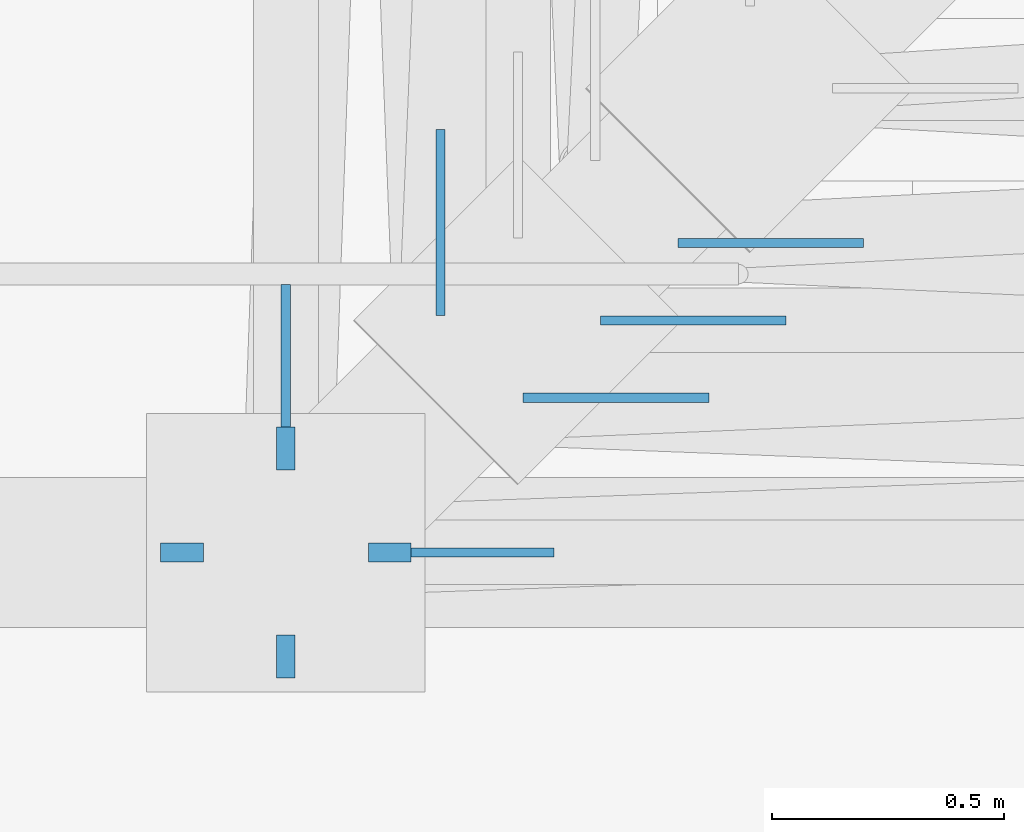
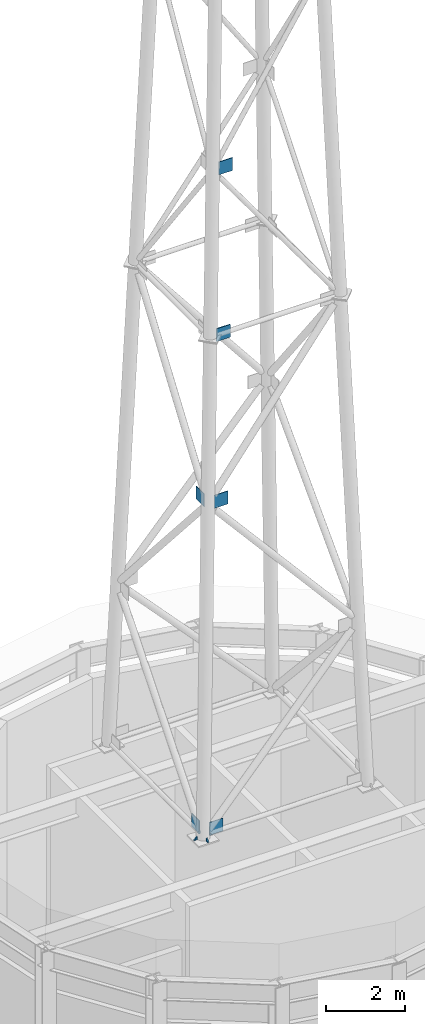
# One storey, part 5 of 15: 10 discrete accessories.
"""IFC4 building model written with IfcOpenShell, lengths in metres."""

from ifc_helpers import new_model, si_unit, direction, frame, origin, origin_2d, place, context, subcontext, project, spatial, polyline, rectangle, outline, extrude, material, material_profile, profile_set, type_object, element, save


model = new_model("IFC4")

# Units and contexts
model_context = context("Model", 3, precision=1e-05, world=origin(), true_north=direction((0.0, 1.0)))
body_context = subcontext(model_context, "Body", "Model", "MODEL_VIEW")
ifc_project = project(units=[si_unit("LENGTHUNIT", "METRE"), si_unit("AREAUNIT", "SQUARE_METRE"), si_unit("VOLUMEUNIT", "CUBIC_METRE"), si_unit("PLANEANGLEUNIT", "RADIAN"), si_unit("MASSUNIT", "GRAM", prefix="KILO")], contexts=[model_context])

# Site, building, storey
site_placement = place(None, origin())
site = spatial("IfcSite", under=ifc_project, at=site_placement, CompositionType="ELEMENT")
building_placement = place(site_placement, origin())
building = spatial("IfcBuilding", under=site, at=building_placement, Name="Immortelle Media Tower", CompositionType="ELEMENT")
storey_placement = place(building_placement, frame((0.0, 0.0, 308.0)))
storey = spatial("IfcBuildingStorey", under=building, at=storey_placement, Name="Roof", CompositionType="ELEMENT", Elevation=308.0)

# Discrete accessories
ifc_material = material(Name="Steel ASTM A572 Gr 50", Category="steel")
ifc_material_profile_1 = material_profile(ifc_material, rectangle(XDim=0.02001953125, YDim=0.39990234375, at=origin_2d()), Name="PL 20 x 400")
ifc_profile_set_1 = profile_set([ifc_material_profile_1], Name="Steel ASTM A572 Gr 50")
discrete_accessory_type_1 = type_object("IfcDiscreteAccessoryType", Name="Node plate GP4 400 x 400 x 20", PredefinedType="USERDEFINED", material=ifc_profile_set_1)
discrete_accessory_1_placement = place(storey_placement, frame((9.77783203125, 9.60009765625, 13.18994140625), z_axis=(1.0, 0.0, 0.0), x_axis=(0.0, 1.0, 0.0)))
element("IfcDiscreteAccessory", 1, at=discrete_accessory_1_placement, inside=storey, type_object=discrete_accessory_type_1, Name="Node plate GP4, leg A, face 1, node 1", ObjectType="NODE PLATE", PredefinedType="USERDEFINED", context=body_context, shape_type="SweptSolid", body=[
    extrude(rectangle(XDim=0.02001953125, YDim=0.39990234375, at=origin_2d()), origin(), (0.0, 0.0, 1.0), 0.39990234375),
])
for number, where, z_axis, x_axis, name in (
    (2, (10.111083984375, 9.933349609375, 22.989990234375), (1.0, 0.0, 0.0), (0.0, 1.0, 0.0), "Node plate GP4, leg A, face 1, node 3"),
    (3, (10.27783203125, 10.10009765625, 27.989990234375), (1.0, 0.0, 0.0), (0.0, 1.0, 0.0), "Node plate GP4, leg A, face 1, node 4"),
):
    element("IfcDiscreteAccessory", number, at=place(storey_placement, frame(where, z_axis=z_axis, x_axis=x_axis)), inside=storey, type_object=discrete_accessory_type_1, Name=name, ObjectType="NODE PLATE", PredefinedType="USERDEFINED", context=body_context, shape_type="SweptSolid", body=[
        extrude(rectangle(XDim=0.02001953125, YDim=0.39990234375, at=origin_2d()), origin(), (0.0, 0.0, 1.0), 0.400146484375),
    ])
for number, where, z_axis, x_axis, name in (
    (4, (10.444580078125, 10.266845703125, 32.989990234375), (1.0, 0.0, 0.0), (0.0, 1.0, 0.0), "Node plate GP4, leg A, face 1, node 5"),
    (5, (9.60009765625, 9.77783203125, 13.18994140625), (0.0, 1.0, 0.0), (-1.0, 0.0, 0.0), "Node plate GP4, leg A, face 4, node 1"),
):
    element("IfcDiscreteAccessory", number, at=place(storey_placement, frame(where, z_axis=z_axis, x_axis=x_axis)), inside=storey, type_object=discrete_accessory_type_1, Name=name, ObjectType="NODE PLATE", PredefinedType="USERDEFINED", context=body_context, shape_type="SweptSolid", body=[
        extrude(rectangle(XDim=0.02001953125, YDim=0.39990234375, at=origin_2d()), origin(), (0.0, 0.0, 1.0), 0.39990234375),
    ])
discrete_accessory_2_placement = place(storey_placement, frame((9.933349609375, 10.111083984375, 22.989990234375), z_axis=(0.0, 1.0, 0.0), x_axis=(-1.0, 0.0, 0.0)))
element("IfcDiscreteAccessory", 6, at=discrete_accessory_2_placement, inside=storey, type_object=discrete_accessory_type_1, Name="Node plate GP4, leg A, face 4, node 3", ObjectType="NODE PLATE", PredefinedType="USERDEFINED", context=body_context, shape_type="SweptSolid", body=[
    extrude(rectangle(XDim=0.02001953125, YDim=0.39990234375, at=origin_2d()), origin(), (0.0, 0.0, 1.0), 0.400146484375),
])
ifc_material_profile_2 = material_profile(ifc_material, outline(polyline([(-0.177734375, 0.0), (-0.177734375, 0.09228515625), (-0.27001953125, 0.0), (-0.177734375, 0.0)])), Name="PL 40 x 92")
ifc_profile_set_2 = profile_set([ifc_material_profile_2], Name="Steel ASTM A572 Gr 50")
discrete_accessory_type_2 = type_object("IfcDiscreteAccessoryType", Name="Stiffener plate BSP1 92 x 92 x 40", PredefinedType="USERDEFINED", material=ifc_profile_set_2)
for number, where, z_axis, x_axis, name in (
    (7, (9.60009765625, 9.580078125, 12.989990234375), (0.0, 1.0, 0.0), (-1.0, 0.0, 0.0), "Stiffener plate BSP1, leg A, 1"),
    (8, (9.6201171875, 9.60009765625, 12.989990234375), (-1.0, 0.0, 0.0), (0.0, -1.0, 0.0), "Stiffener plate BSP1, leg A, 2"),
    (9, (9.60009765625, 9.6201171875, 12.989990234375), (0.0, -1.0, 0.0), (1.0, 0.0, 0.0), "Stiffener plate BSP1, leg A, 3"),
    (10, (9.580078125, 9.60009765625, 12.989990234375), (1.0, 0.0, 0.0), (0.0, 1.0, 0.0), "Stiffener plate BSP1, leg A, 4"),
):
    element("IfcDiscreteAccessory", number, at=place(storey_placement, frame(where, z_axis=z_axis, x_axis=x_axis)), inside=storey, type_object=discrete_accessory_type_2, Name=name, ObjectType="STIFFENER PLATE", PredefinedType="USERDEFINED", context=body_context, shape_type="SweptSolid", body=[
        extrude(outline(polyline([(-0.177734375, 0.0), (-0.177734375, 0.09228515625), (-0.27001953125, 0.0), (-0.177734375, 0.0)])), origin(), (0.0, 0.0, 1.0), 0.0400390625),
    ])

save(model, "model.ifc")
